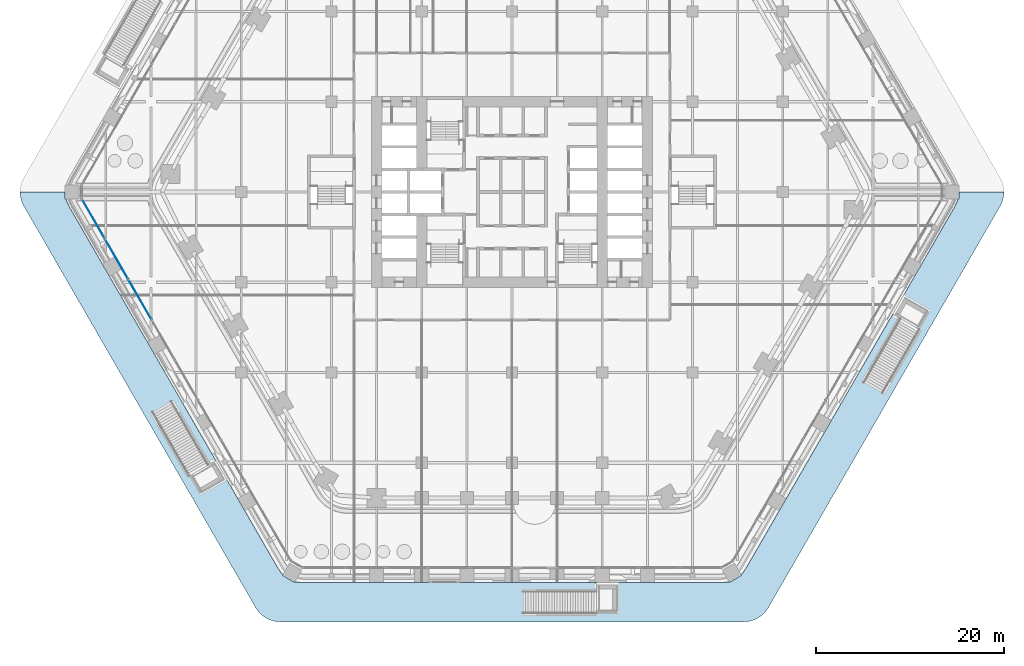
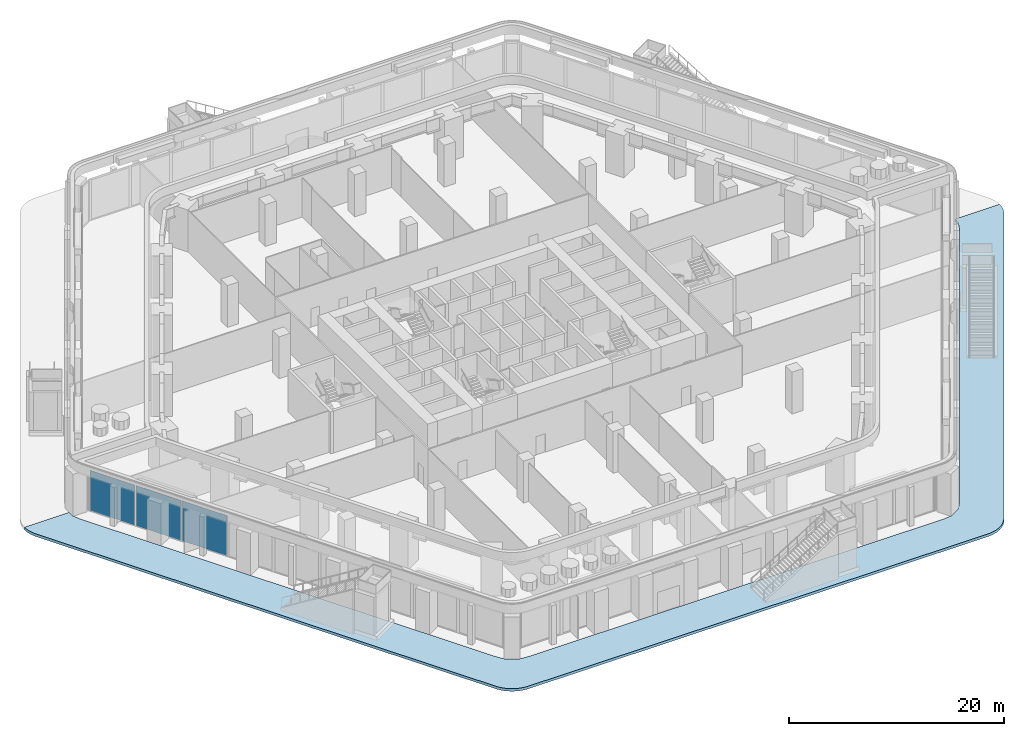
# One storey, part 12 of 34: 3 plates, 1 slab, 1 element without a shape of its own.
"""IFC4 building model written with IfcOpenShell, lengths in metres."""

from ifc_helpers import new_model, si_unit, direction, frame, origin, origin_2d, place, context, subcontext, project, spatial, polyline, rectangle, outline, extrude, material, layer, layer_set, type_object, element, aggregate, save


model = new_model("IFC4")

# Units and contexts
model_context = context("Model", 3, precision=1e-05, world=origin(), true_north=direction((0.0, 1.0)))
body_context = subcontext(model_context, "Body", "Model", "MODEL_VIEW")
ifc_project = project(units=[si_unit("LENGTHUNIT", "METRE"), si_unit("AREAUNIT", "SQUARE_METRE"), si_unit("VOLUMEUNIT", "CUBIC_METRE"), si_unit("PLANEANGLEUNIT", "RADIAN"), si_unit("MASSUNIT", "GRAM", prefix="KILO")], contexts=[model_context])

# Site, building, storey
site_placement = place(None, origin())
site = spatial("IfcSite", under=ifc_project, at=site_placement, CompositionType="ELEMENT")
building_placement = place(site_placement, origin())
building = spatial("IfcBuilding", under=site, at=building_placement, Name="Kolab Exchange Tower", CompositionType="ELEMENT")
storey_placement = place(building_placement, frame((0.0, 0.0, 12.39990234375)))
storey = spatial("IfcBuildingStorey", under=building, at=storey_placement, Name="L02", CompositionType="ELEMENT", Elevation=12.39990234375)

# Curtain wall, plates
ifc_material_1 = material(Name="Aluminium EN AW-6063 T6", Category="aluminium")
curtain_wall_type = type_object("IfcCurtainWallType", Name="PODIUM STRUCTURAL GLAZING CURTAIN WALL", PredefinedType="NOTDEFINED", material=ifc_material_1)
curtain_wall_placement = place(storey_placement, origin())
curtain_wall = element("IfcCurtainWall", 1, at=curtain_wall_placement, inside=storey, type_object=curtain_wall_type, Name="cw/L02/F5-1", PredefinedType="NOTDEFINED")
ifc_material_2 = material(Name="Clear insulated glazing unit", Category="glass")
ifc_layer_1 = layer(ifc_material_2, 0.035888671875)
ifc_layer_set_1 = layer_set([ifc_layer_1], Name="Clear insulated glazing unit")
plate_type = type_object("IfcPlateType", Name="PODIUM STRUCTURAL GLAZING GLASS PANEL 36", PredefinedType="CURTAIN_PANEL", material=ifc_layer_set_1)
plate_1_placement = place(storey_placement, frame((-39.580078125, -11.423583984375, 0.080078125), z_axis=(0.0, 0.0, 1.0), x_axis=(-0.500000000469, 0.866025403514, 0.0)))
plate_1 = element("IfcPlate", 2, at=plate_1_placement, type_object=plate_type, Name="CW5 panel 7.1", PredefinedType="CURTAIN_PANEL", context=body_context, shape_type="SweptSolid", body=[
    extrude(rectangle(XDim=4.868408203125, YDim=0.035888671875, at=origin_2d()), origin(), (0.0, 0.0, 1.0), 4.5400390625),
])
plate_2_placement = place(storey_placement, frame((-42.054443359375, -7.13818359375, 0.080078125), z_axis=(0.0, 0.0, 1.0), x_axis=(-0.500000000469, 0.866025403514, 0.0)))
plate_2 = element("IfcPlate", 3, at=plate_2_placement, type_object=plate_type, Name="CW5 panel 8.1", PredefinedType="CURTAIN_PANEL", context=body_context, shape_type="SweptSolid", body=[
    extrude(rectangle(XDim=4.868408203125, YDim=0.035888671875, at=origin_2d()), origin(), (0.0, 0.0, 1.0), 4.5400390625),
])
plate_3_placement = place(storey_placement, frame((-44.5185546875, -2.8701171875, 0.080078125), z_axis=(0.0, 0.0, 1.0), x_axis=(-0.500000000469, 0.866025403514, 0.0)))
plate_3 = element("IfcPlate", 4, at=plate_3_placement, type_object=plate_type, Name="CW5 panel 9.1", PredefinedType="CURTAIN_PANEL", context=body_context, shape_type="SweptSolid", body=[
    extrude(rectangle(XDim=4.828369140625, YDim=0.035888671875, at=origin_2d()), origin(), (0.0, 0.0, 1.0), 4.5400390625),
])
aggregate(curtain_wall, [plate_1, plate_2, plate_3])

# Slab
ifc_material_3 = material(Name="Concrete C35/45", Category="concrete")
ifc_layer_2 = layer(ifc_material_3, 0.300048828125)
ifc_layer_set_2 = layer_set([ifc_layer_2], Name="Concrete C35/45")
slab_type = type_object("IfcSlabType", Name="TERRACE SLAB 300 PLANTED", PredefinedType="ROOF", material=ifc_layer_set_2)
slab_placement = place(storey_placement, frame((0.0, 0.0, -0.2998046875)))
element("IfcSlab", 5, at=slab_placement, inside=storey, type_object=slab_type, Name="slab/L01/podium-2/1", PredefinedType="ROOF", context=body_context, shape_type="SweptSolid", body=[
    extrude(outline(polyline([(52.3359375, 0.0), (47.535888671875, 0.0), (47.535888671875, -0.75), (47.428955078125, -0.75), (47.35498046875, -1.026123046875), (47.134033203125, -1.5), (38.77490234375, -15.978271484375), (38.02490234375, -17.277099609375), (33.97509765625, -24.2919921875), (33.22509765625, -25.591064453125), (29.175048828125, -32.60595703125), (28.425048828125, -33.90478515625), (24.865966796875, -40.0693359375), (24.566162109375, -40.49755859375), (24.364013671875, -40.69970703125), (24.41748046875, -40.792236328125), (23.118408203125, -41.542236328125), (23.06494140625, -41.44970703125), (22.788818359375, -41.523681640625), (22.26806640625, -41.5693359375), (15.14990234375, -41.5693359375), (13.64990234375, -41.5693359375), (10.35009765625, -41.5693359375), (8.85009765625, -41.5693359375), (5.550048828125, -41.5693359375), (4.050048828125, -41.5693359375), (0.75, -41.5693359375), (-0.75, -41.5693359375), (-4.050048828125, -41.5693359375), (-5.550048828125, -41.5693359375), (-8.85009765625, -41.5693359375), (-10.35009765625, -41.5693359375), (-13.64990234375, -41.5693359375), (-15.14990234375, -41.5693359375), (-22.26806640625, -41.5693359375), (-22.788818359375, -41.523681640625), (-23.06494140625, -41.44970703125), (-23.118408203125, -41.542236328125), (-24.41748046875, -40.792236328125), (-24.364013671875, -40.69970703125), (-24.566162109375, -40.49755859375), (-24.865966796875, -40.0693359375), (-28.425048828125, -33.90478515625), (-29.175048828125, -32.60595703125), (-33.22509765625, -25.591064453125), (-33.97509765625, -24.2919921875), (-38.02490234375, -17.277099609375), (-38.77490234375, -15.978271484375), (-47.134033203125, -1.5), (-47.35498046875, -1.026123046875), (-47.428955078125, -0.75), (-47.535888671875, -0.75), (-47.535888671875, 0.0), (-52.3359375, 0.0), (-52.290283203125, -0.52099609375), (-52.155029296875, -1.026123046875), (-51.93408203125, -1.5), (-27.26611328125, -44.22607421875), (-26.966064453125, -44.654541015625), (-26.59619140625, -45.024169921875), (-26.16796875, -45.32421875), (-25.694091796875, -45.545166015625), (-25.18896484375, -45.6806640625), (-24.66796875, -45.72607421875), (24.66796875, -45.72607421875), (25.18896484375, -45.6806640625), (25.694091796875, -45.545166015625), (26.16796875, -45.32421875), (26.59619140625, -45.024169921875), (26.966064453125, -44.654541015625), (27.26611328125, -44.22607421875), (51.93408203125, -1.5), (52.155029296875, -1.026123046875), (52.290283203125, -0.52099609375), (52.3359375, 0.0)])), origin(), (0.0, 0.0, 1.0), 0.2998046875),
])

save(model, "model.ifc")
